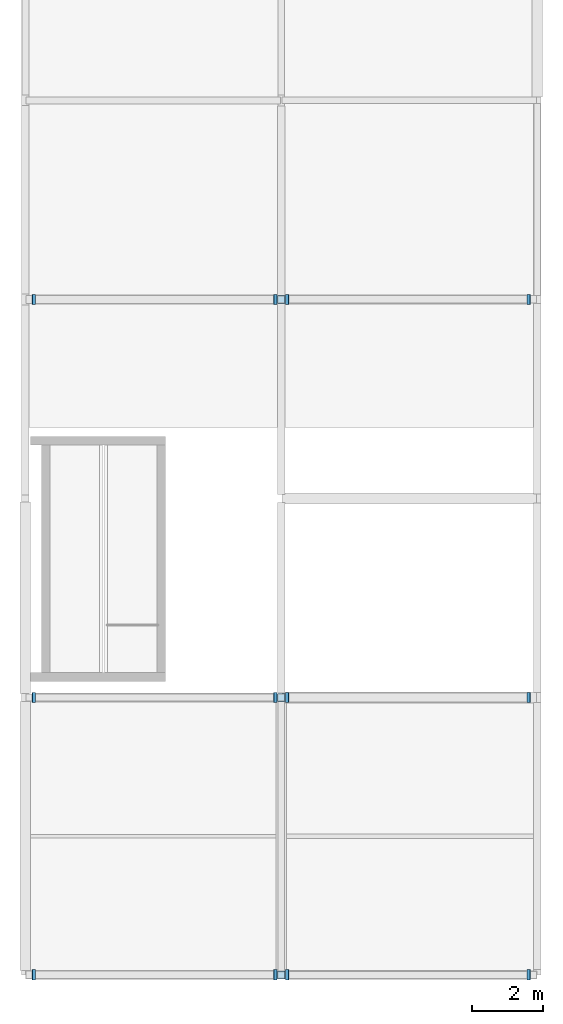
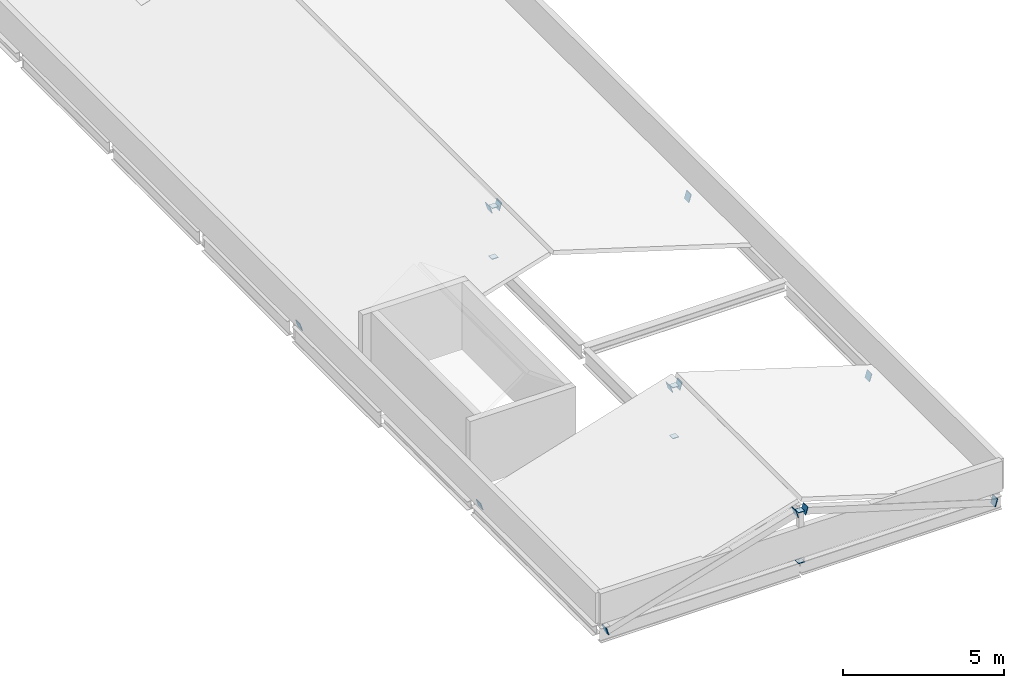
# One storey, part 6 of 9: 18 plates.
"""IFC4 building model written with IfcOpenShell, lengths in metres."""

from ifc_helpers import new_model, si_unit, direction, frame, origin, origin_2d, place, context, subcontext, project, spatial, rectangle, extrude, material, material_profile, profile_set, type_object, element, save


model = new_model("IFC4")

# Units and contexts
model_context = context("Model", 3, precision=1e-05, world=origin(), true_north=direction((0.0, 1.0)))
body_context = subcontext(model_context, "Body", "Model", "MODEL_VIEW")
ifc_project = project(units=[si_unit("LENGTHUNIT", "METRE"), si_unit("AREAUNIT", "SQUARE_METRE"), si_unit("VOLUMEUNIT", "CUBIC_METRE"), si_unit("PLANEANGLEUNIT", "RADIAN"), si_unit("MASSUNIT", "GRAM", prefix="KILO")], contexts=[model_context])

# Site, building, storey
site_placement = place(None, origin())
site = spatial("IfcSite", under=ifc_project, at=site_placement, CompositionType="ELEMENT")
building_placement = place(site_placement, origin())
building = spatial("IfcBuilding", under=site, at=building_placement, Name="Vinh Khe Railworks Police Headquarters", CompositionType="ELEMENT")
storey_placement = place(building_placement, frame((0.0, 0.0, 36.60009765625)))
storey = spatial("IfcBuildingStorey", under=building, at=storey_placement, Name="RF", CompositionType="ELEMENT", Elevation=36.60009765625)

# Plates
ifc_material = material(Name="Steel S355JR", Category="steel")
ifc_material_profile_1 = material_profile(ifc_material, rectangle(XDim=0.219970703125, YDim=0.219970703125, at=origin_2d()), Name="PL 220x220")
ifc_profile_set_1 = profile_set([ifc_material_profile_1], Name="Steel S355JR")
plate_type_1 = type_object("IfcPlateType", Name="Steel End-Cap Plate 220x220x24", PredefinedType="SHEET", material=ifc_profile_set_1)
for number, where, z_axis, x_axis, name in (
    (1, (7.800048828125, 17.39990234375, -0.18017578125), (0.0, 0.0, -1.0), (1.0, 0.0, 0.0), "End-Cap Gusset Plate PLT-EP-0109"),
    (2, (7.800048828125, 17.39990234375, 1.719970703125), (0.0, 0.0, 1.0), (1.0, 0.0, 0.0), "End-Cap Gusset Plate PLT-EP-0110"),
    (3, (7.800048828125, 25.199951171875, -0.18017578125), (0.0, 0.0, -1.0), (1.0, 0.0, 0.0), "End-Cap Gusset Plate PLT-EP-0111"),
    (4, (7.800048828125, 25.199951171875, 1.719970703125), (0.0, 0.0, 1.0), (1.0, 0.0, 0.0), "End-Cap Gusset Plate PLT-EP-0112"),
    (5, (7.800048828125, 36.39990234375, -0.18017578125), (0.0, 0.0, -1.0), (1.0, 0.0, 0.0), "End-Cap Gusset Plate PLT-EP-0113"),
    (6, (7.800048828125, 36.39990234375, 1.719970703125), (0.0, 0.0, 1.0), (1.0, 0.0, 0.0), "End-Cap Gusset Plate PLT-EP-0114"),
):
    element("IfcPlate", number, at=place(storey_placement, frame(where, z_axis=z_axis, x_axis=x_axis)), inside=storey, type_object=plate_type_1, Name=name, PredefinedType="SHEET", context=body_context, shape_type="SweptSolid", body=[
        extrude(rectangle(XDim=0.219970703125, YDim=0.219970703125, at=origin_2d()), origin(), (0.0, 0.0, 1.0), 0.02392578125),
    ])
ifc_material_profile_2 = material_profile(ifc_material, rectangle(XDim=0.2900390625, YDim=0.2900390625, at=origin_2d()), Name="PL 290x290")
ifc_profile_set_2 = profile_set([ifc_material_profile_2], Name="Steel S355JR")
plate_type_2 = type_object("IfcPlateType", Name="Steel End-Cap Plate 290x290x24", PredefinedType="SHEET", material=ifc_profile_set_2)
for number, where, z_axis, x_axis, name in (
    (7, (0.85009765625, 17.39990234375, -0.340087890625), (-0.955558946739, 0.0, -0.29480010059), (0.0, -1.0, 0.0), "End-Cap Gusset Plate PLT-EP-0097"),
    (8, (0.85009765625, 25.199951171875, -0.340087890625), (-0.955558946739, 0.0, -0.29480010059), (0.0, -1.0, 0.0), "End-Cap Gusset Plate PLT-EP-0098"),
    (9, (0.85009765625, 36.39990234375, -0.340087890625), (-0.955558946739, 0.0, -0.29480010059), (0.0, -1.0, 0.0), "End-Cap Gusset Plate PLT-EP-0099"),
    (10, (7.6201171875, 17.39990234375, 1.719970703125), (0.958385683586, 0.0, 0.2854765866), (0.0, 1.0, 0.0), "End-Cap Gusset Plate PLT-EP-0103"),
    (11, (7.6201171875, 25.199951171875, 1.719970703125), (0.958385683586, 0.0, 0.2854765866), (0.0, 1.0, 0.0), "End-Cap Gusset Plate PLT-EP-0104"),
    (12, (7.6201171875, 36.39990234375, 1.719970703125), (0.958385683586, 0.0, 0.2854765866), (0.0, 1.0, 0.0), "End-Cap Gusset Plate PLT-EP-0105"),
    (13, (7.97998046875, 17.39990234375, 1.719970703125), (-0.958385683586, 0.0, 0.2854765866), (0.0, -1.0, 0.0), "End-Cap Gusset Plate PLT-EP-0121"),
    (14, (7.97998046875, 25.199951171875, 1.719970703125), (-0.958385683586, 0.0, 0.2854765866), (0.0, -1.0, 0.0), "End-Cap Gusset Plate PLT-EP-0122"),
    (15, (7.97998046875, 36.39990234375, 1.719970703125), (-0.958385683586, 0.0, 0.2854765866), (0.0, -1.0, 0.0), "End-Cap Gusset Plate PLT-EP-0123"),
    (16, (14.75, 17.39990234375, -0.340087890625), (0.955558946739, 0.0, -0.29480010059), (0.0, 1.0, 0.0), "End-Cap Gusset Plate PLT-EP-0127"),
    (17, (14.75, 25.199951171875, -0.340087890625), (0.955558946739, 0.0, -0.29480010059), (0.0, 1.0, 0.0), "End-Cap Gusset Plate PLT-EP-0128"),
    (18, (14.75, 36.39990234375, -0.340087890625), (0.955558946739, 0.0, -0.29480010059), (0.0, 1.0, 0.0), "End-Cap Gusset Plate PLT-EP-0129"),
):
    element("IfcPlate", number, at=place(storey_placement, frame(where, z_axis=z_axis, x_axis=x_axis)), inside=storey, type_object=plate_type_2, Name=name, PredefinedType="SHEET", context=body_context, shape_type="SweptSolid", body=[
        extrude(rectangle(XDim=0.2900390625, YDim=0.2900390625, at=origin_2d()), origin(), (0.0, 0.0, 1.0), 0.02392578125),
    ])

save(model, "model.ifc")
